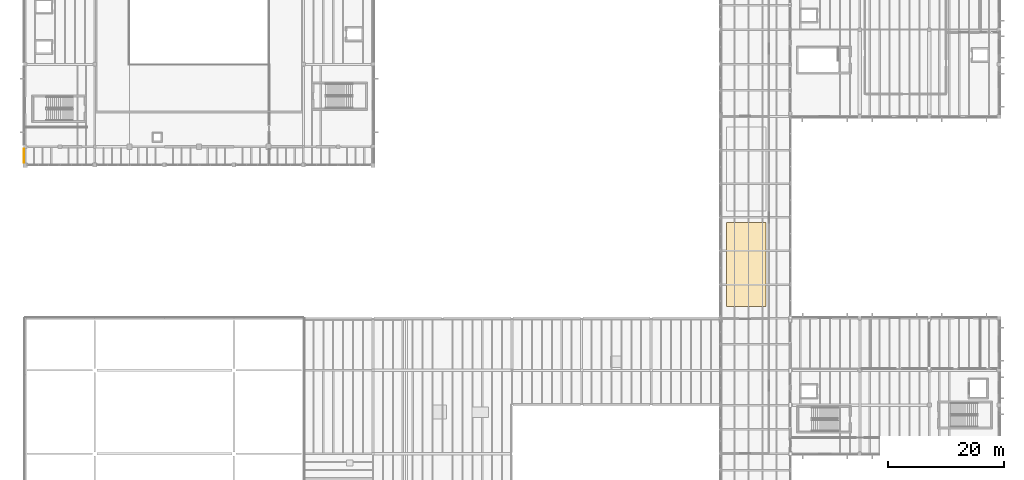
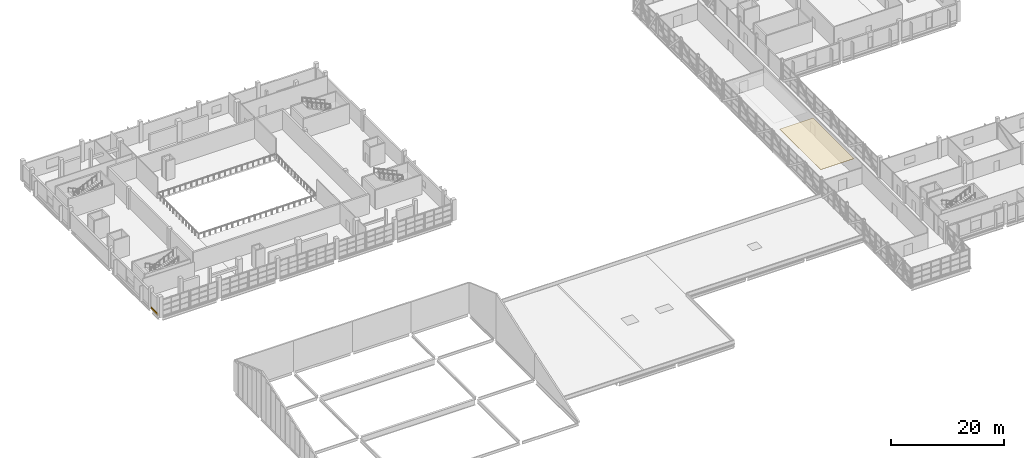
# One storey, part 54 of 63: 2 coverings.
"""IFC4 building model written with IfcOpenShell, lengths in metres."""

from ifc_helpers import new_model, si_unit, direction, frame, origin, origin_2d, place, context, subcontext, project, spatial, polyline, rectangle, outline, extrude, material, layer, layer_set, type_object, element, save


model = new_model("IFC4")

# Units and contexts
model_context = context("Model", 3, precision=1e-05, world=origin(), true_north=direction((0.0, 1.0)))
body_context = subcontext(model_context, "Body", "Model", "MODEL_VIEW")
ifc_project = project(units=[si_unit("LENGTHUNIT", "METRE"), si_unit("AREAUNIT", "SQUARE_METRE"), si_unit("VOLUMEUNIT", "CUBIC_METRE"), si_unit("PLANEANGLEUNIT", "RADIAN"), si_unit("MASSUNIT", "GRAM", prefix="KILO")], contexts=[model_context])

# Site, building, storey
site_placement = place(None, origin())
site = spatial("IfcSite", under=ifc_project, at=site_placement, CompositionType="ELEMENT")
building_placement = place(site_placement, origin())
building = spatial("IfcBuilding", under=site, at=building_placement, Name="Kelmvaro Bay Concert Hall", CompositionType="ELEMENT")
storey_placement = place(building_placement, frame((0.0, 0.0, 13.800048828125)))
storey = spatial("IfcBuildingStorey", under=building, at=storey_placement, Name="L03", CompositionType="ELEMENT", Elevation=13.800048828125)

# Coverings
ifc_material_1 = material(Name="Curved Laminated Rock Maple Acoustic Panel")
ifc_layer_1 = layer(ifc_material_1, 0.0849609375)
ifc_layer_set_1 = layer_set([ifc_layer_1], Name="Curved Laminated Rock Maple Acoustic Panel")
covering_type_1 = type_object("IfcCoveringType", Name="Curved Maple Acoustic Reflector Cloud Ceiling 85", PredefinedType="CEILING", material=ifc_layer_set_1)
covering_1_placement = place(storey_placement, frame((0.0, 0.0, 4.135009765625)))
element("IfcCovering", 1, at=covering_1_placement, inside=storey, type_object=covering_type_1, Name="L03 Acoustic Ceiling 11", PredefinedType="CEILING", context=body_context, shape_type="SweptSolid", body=[
    extrude(outline(polyline([(127.800048828125, 41.0), (127.800048828125, 55.5), (121.0, 55.5), (121.0, 41.0), (127.800048828125, 41.0)])), origin(), (0.0, 0.0, 1.0), 0.0849609375),
])
ifc_material_2 = material(Name="Honed Florida Limestone Travertine", Category="masonry")
ifc_layer_2 = layer(ifc_material_2, 0.054931640625)
ifc_layer_set_2 = layer_set([ifc_layer_2], Name="Honed Florida Limestone Travertine")
covering_type_2 = type_object("IfcCoveringType", Name="Honed Florida Travertine Rainscreen Cladding 55", PredefinedType="CLADDING", material=ifc_layer_set_2)
covering_2_placement = place(storey_placement, frame((-0.20556640625, 67.014892578125, 0.0400390625), z_axis=(0.0, 0.0, 1.0), x_axis=(0.0, 1.0, 0.0)))
element("IfcCovering", 2, at=covering_2_placement, inside=storey, type_object=covering_type_2, Name="L03 Travertine Sill Band 0122", PredefinedType="CLADDING", context=body_context, shape_type="SweptSolid", body=[
    extrude(rectangle(XDim=2.360107421875, YDim=0.054931640625, at=origin_2d()), origin(), (0.0, 0.0, 1.0), 0.4599609375),
])

save(model, "model.ifc")
